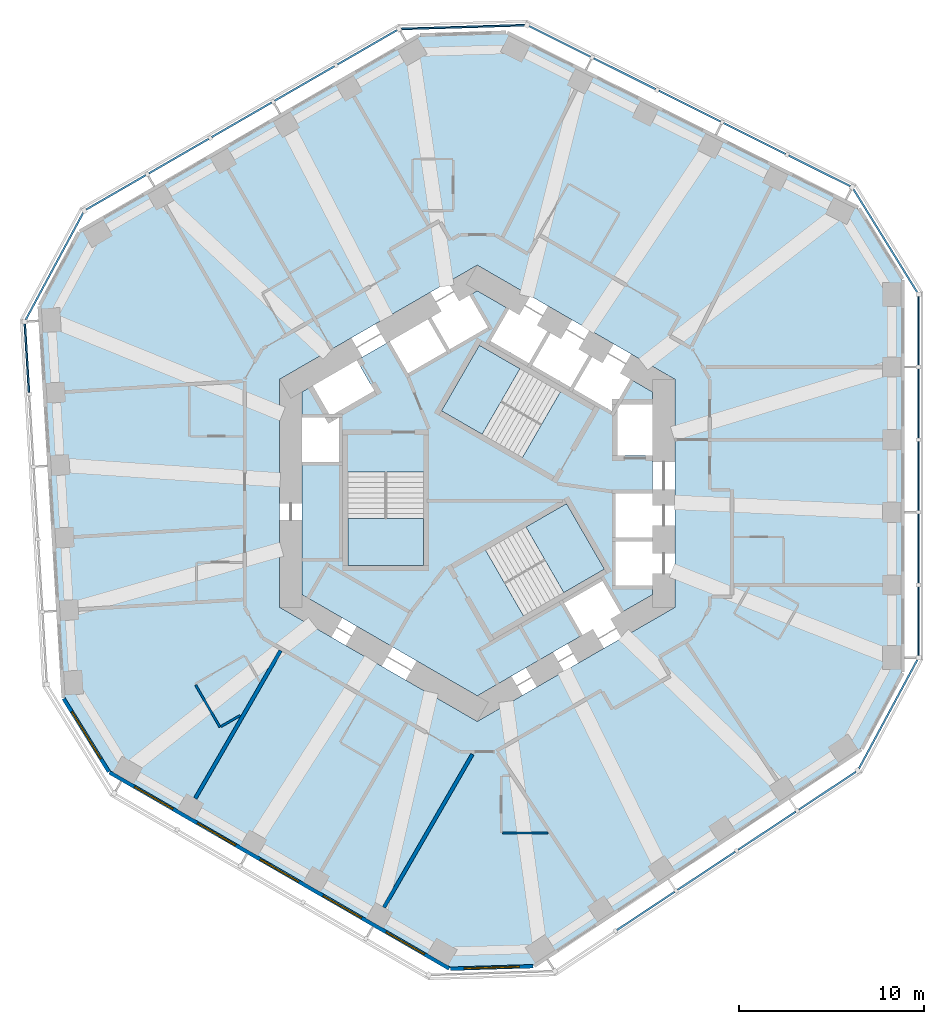
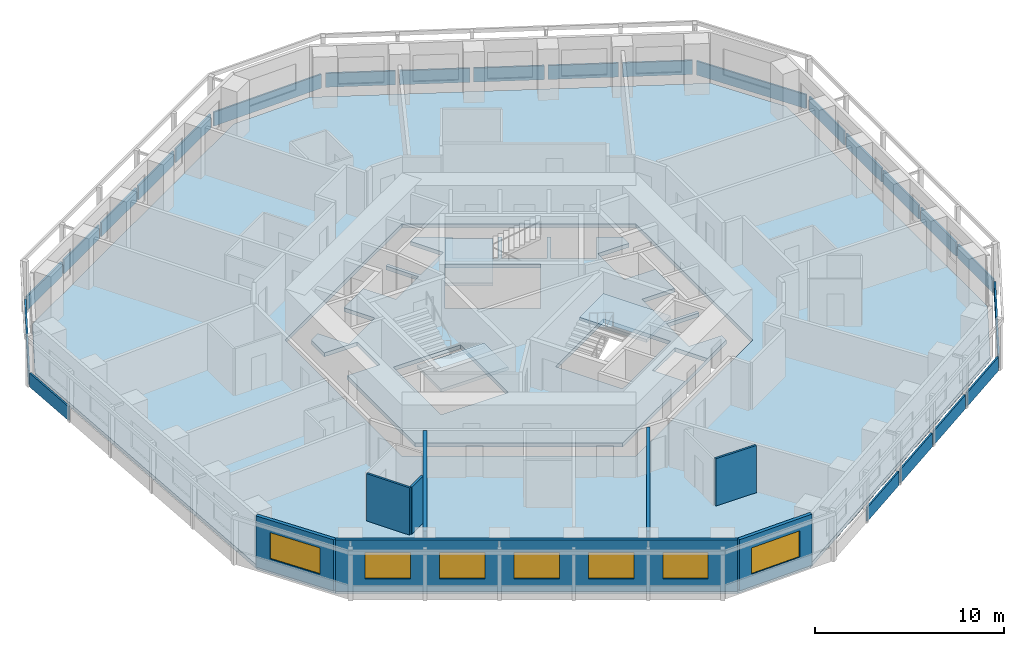
# One storey, part 3 of 11: 24 plates, 8 walls, 7 windows, 5 slabs, 7 openings, 12 elements without a shape of their own.
"""IFC4 building model written with IfcOpenShell, lengths in metres."""

import ifcopenshell
import ifcopenshell.guid

model = None  # the IFC model being written
_history = None  # IfcOwnerHistory: only IFC2X3 demands one
_inside = {}  # id of a spatial element -> (the spatial element, [elements in it])
_under = {}  # id of a project, library or spatial element -> (it, [spatial elements below it])
_declared = {}  # id of a project -> (the project, [libraries it declares])
_typed = {}  # id of a type object -> (the type object, [elements of that type])
_made_of = {}  # id of a material, layer set ... -> (it, [elements and type objects made of it])


def new_model(schema):
    """Start an empty IFC model of exactly this schema.

    Asked for "IFC4X3", IfcOpenShell would pick the latest addendum, in which some entities
    have other attributes; the version numbers below select the first issue.
    IFC2X3 requires an IfcOwnerHistory on every rooted entity: one is made here for all.
    """
    global model, _history
    if schema == "IFC4X3":
        model = ifcopenshell.file(schema_version=(4, 3, 0, 0))
    else:
        model = ifcopenshell.file(schema=schema)
    _inside.clear()
    _under.clear()
    _declared.clear()
    _typed.clear()
    _made_of.clear()
    _history = None
    if model.schema == "IFC2X3":
        org = make("IfcOrganization", Name="unknown")
        user = make(
            "IfcPersonAndOrganization",
            ThePerson=make("IfcPerson", FamilyName="unknown"),
            TheOrganization=org,
        )
        app = make(
            "IfcApplication",
            ApplicationDeveloper=org,
            Version="unknown",
            ApplicationFullName="unknown",
            ApplicationIdentifier="unknown",
        )
        _history = make(
            "IfcOwnerHistory",
            OwningUser=user,
            OwningApplication=app,
            ChangeAction="ADDED",
            CreationDate=0,
        )
    return model


def make(cls, **values):
    """One entity of the class cls with the attributes given. An attribute that is None is left unset."""
    return model.create_entity(
        cls, **{name: value for name, value in values.items() if value is not None}
    )


def rooted(cls, **values):
    """An entity with a GlobalId (a new one), such as an element, a storey or a relation."""
    return make(cls, GlobalId=ifcopenshell.guid.new(), OwnerHistory=_history, **values)


def si_unit(unit_type, name, prefix=None):
    """IfcSIUnit, for example si_unit("LENGTHUNIT", "METRE", prefix="MILLI")."""
    return make("IfcSIUnit", UnitType=unit_type, Prefix=prefix, Name=name)


def assignment(units):
    """IfcUnitAssignment: the units of a project."""
    return None if units is None else make("IfcUnitAssignment", Units=units)


def point(xyz):
    """IfcCartesianPoint."""
    return None if xyz is None else make("IfcCartesianPoint", Coordinates=xyz)


def direction(xyz):
    """IfcDirection."""
    return None if xyz is None else make("IfcDirection", DirectionRatios=xyz)


def frame(location, z_axis=None, x_axis=None):
    """IfcAxis2Placement3D, a coordinate frame: its origin and axes. An axis left out is left unset."""
    return make(
        "IfcAxis2Placement3D",
        Location=point(location),
        Axis=direction(z_axis),
        RefDirection=direction(x_axis),
    )


def frame_2d(location, x_axis=None):
    """IfcAxis2Placement2D, a coordinate frame in the plane: its origin and x axis."""
    return make(
        "IfcAxis2Placement2D", Location=point(location), RefDirection=direction(x_axis)
    )


def origin():
    """The frame at (0, 0, 0) with its axes left unset."""
    return frame((0.0, 0.0, 0.0))


def origin_2d():
    """The frame at (0, 0) in the plane with its x axis left unset."""
    return frame_2d((0.0, 0.0))


def place(relative_to, where):
    """IfcLocalPlacement: puts the frame where relative to a parent placement (None: the world)."""
    return make(
        "IfcLocalPlacement", PlacementRelTo=relative_to, RelativePlacement=where
    )


def context(
    kind, dimensions, precision=None, world=None, true_north=None, identifier=None
):
    """IfcGeometricRepresentationContext, for example the 3D "Model" context."""
    return make(
        "IfcGeometricRepresentationContext",
        ContextIdentifier=identifier,
        ContextType=kind,
        CoordinateSpaceDimension=dimensions,
        Precision=precision,
        WorldCoordinateSystem=world,
        TrueNorth=true_north,
    )


def subcontext(parent, identifier, kind, view, scale=None):
    """IfcGeometricRepresentationSubContext, for example "Body" below "Model"."""
    return make(
        "IfcGeometricRepresentationSubContext",
        ContextIdentifier=identifier,
        ContextType=kind,
        ParentContext=parent,
        TargetScale=scale,
        TargetView=view,
    )


def project(units=None, contexts=None):
    """IfcProject with its units and contexts."""
    return rooted(
        "IfcProject",
        Name="project",
        RepresentationContexts=contexts,
        UnitsInContext=assignment(units),
    )


def spatial(cls, under=None, at=None, **own):
    """A site, building, storey or space (cls), placed at a placement, below another one or the project."""
    s = rooted(cls, ObjectPlacement=at, **own)
    if under is not None:
        _under.setdefault(under.id(), (under, []))[1].append(s)
    return s


def polyline(points):
    """IfcPolyline through the points."""
    return make("IfcPolyline", Points=[point(p) for p in points])


def profile(cls, at=None, kind="AREA", **sizes):
    """A parametric profile (cls). Its sizes go by their IFC names, for example OverallWidth=200.0."""
    return make(cls, ProfileType=kind, Position=at, **sizes)


def rectangle(**sizes):
    """IfcRectangleProfileDef."""
    return profile("IfcRectangleProfileDef", **sizes)


def outline(outer, holes=None, kind="AREA"):
    """IfcArbitraryClosedProfileDef: a profile drawn as a closed curve; with holes, ...WithVoids."""
    if holes is None:
        return make("IfcArbitraryClosedProfileDef", ProfileType=kind, OuterCurve=outer)
    return make(
        "IfcArbitraryProfileDefWithVoids",
        ProfileType=kind,
        OuterCurve=outer,
        InnerCurves=holes,
    )


def extrude(swept, where, along, depth):
    """IfcExtrudedAreaSolid: the profile swept, set in the frame where, extruded along a direction by depth."""
    return make(
        "IfcExtrudedAreaSolid",
        SweptArea=swept,
        Position=where,
        ExtrudedDirection=direction(along),
        Depth=depth,
    )


def shape(context_of_items, identifier, shape_type, items):
    """IfcShapeRepresentation: the items that make up one representation, for example the "Body"."""
    return make(
        "IfcShapeRepresentation",
        ContextOfItems=context_of_items,
        RepresentationIdentifier=identifier,
        RepresentationType=shape_type,
        Items=items,
    )


def material(Name=None, Category=None):
    """IfcMaterial."""
    return make("IfcMaterial", Name=Name, Category=Category)


def layer(
    of_material, thickness, ventilated=None, Name=None, Category=None, Priority=None
):
    """IfcMaterialLayer: one layer of a wall or slab, of a material (None: an air gap)."""
    return make(
        "IfcMaterialLayer",
        Material=of_material,
        LayerThickness=thickness,
        IsVentilated=ventilated,
        Name=Name,
        Category=Category,
        Priority=Priority,
    )


def layer_set(layers, Name=None):
    """IfcMaterialLayerSet."""
    return make("IfcMaterialLayerSet", MaterialLayers=layers, LayerSetName=Name)


def made_of(thing, what):
    """Note that an element or type object is made of a material, layer set ...; save() writes the relation."""
    if what is not None:
        _made_of.setdefault(what.id(), (what, []))[1].append(thing)
    return thing


def type_object(cls, material=None, **own):
    """A type object (cls), such as IfcWallType, which elements share."""
    return made_of(rooted(cls, **own), material)


def element(
    cls,
    number,
    at=None,
    inside=None,
    cuts=None,
    type_object=None,
    material=None,
    context=None,
    identifier="Body",
    shape_type=None,
    held_by="IfcProductDefinitionShape",
    body=None,
    shapes=None,
    **own,
):
    """One element of the class cls, such as IfcWall. Its Tag is "e" and its number.

    at: its placement. inside: the storey or other place that contains it. cuts: it is an
    opening in that element (IfcRelVoidsElement). A single representation is given by context,
    identifier, shape_type and body (its items); several are given by shapes. held_by: the class
    of the entity that holds the representations. save() writes the other relations.
    """
    e = rooted(cls, Tag="e%d" % number, ObjectPlacement=at, **own)
    if body is not None:
        shapes = [shape(context, identifier, shape_type, body)]
    if shapes is not None:
        e.Representation = make(held_by, Representations=shapes)
    if inside is not None:
        _inside.setdefault(inside.id(), (inside, []))[1].append(e)
    if cuts is not None:
        rooted(
            "IfcRelVoidsElement", RelatingBuildingElement=cuts, RelatedOpeningElement=e
        )
    if type_object is not None:
        _typed.setdefault(type_object.id(), (type_object, []))[1].append(e)
    return made_of(e, material)


def fill(opening, filler):
    """IfcRelFillsElement: the door or window that sits in an opening."""
    return rooted(
        "IfcRelFillsElement",
        RelatingOpeningElement=opening,
        RelatedBuildingElement=filler,
    )


def aggregate(whole, parts):
    """IfcRelAggregates: a whole, such as a stair, and the parts it consists of."""
    return rooted("IfcRelAggregates", RelatingObject=whole, RelatedObjects=parts)


def save(model, path):
    """Write the relations noted so far, then the file.

    IfcRelAggregates (storeys below a building ...), IfcRelContainedInSpatialStructure (elements
    in a storey), IfcRelDefinesByType, IfcRelAssociatesMaterial and IfcRelDeclares: one each for
    every whole, place, type object, material and project.
    """
    for whole, parts in _under.values():
        aggregate(whole, parts)
    for where, things in _inside.values():
        rooted(
            "IfcRelContainedInSpatialStructure",
            RelatedElements=things,
            RelatingStructure=where,
        )
    for kind, things in _typed.values():
        rooted("IfcRelDefinesByType", RelatedObjects=things, RelatingType=kind)
    for what, things in _made_of.values():
        rooted("IfcRelAssociatesMaterial", RelatedObjects=things, RelatingMaterial=what)
    for by, libraries in _declared.values():
        rooted("IfcRelDeclares", RelatingContext=by, RelatedDefinitions=libraries)
    model.write(path)


model = new_model("IFC4")

# Units and contexts
model_context = context("Model", 3, precision=1e-05, world=origin(), true_north=direction((0.0, 1.0)))
body_context = subcontext(model_context, "Body", "Model", "MODEL_VIEW")
ifc_project = project(units=[si_unit("LENGTHUNIT", "METRE"), si_unit("AREAUNIT", "SQUARE_METRE"), si_unit("VOLUMEUNIT", "CUBIC_METRE"), si_unit("PLANEANGLEUNIT", "RADIAN"), si_unit("MASSUNIT", "GRAM", prefix="KILO")], contexts=[model_context])

# Site, building, storey
site_placement = place(None, origin())
site = spatial("IfcSite", under=ifc_project, at=site_placement, CompositionType="ELEMENT")
building_placement = place(site_placement, origin())
building = spatial("IfcBuilding", under=site, at=building_placement, Name="Vanh Sen Convention Tower", CompositionType="ELEMENT")
storey_placement = place(building_placement, frame((0.0, 0.0, 100.10009765625)))
storey = spatial("IfcBuildingStorey", under=building, at=storey_placement, Name="L23", CompositionType="ELEMENT", Elevation=100.10009765625)

# Slabs
ifc_material_1 = material(Name="Concrete C40/50", Category="concrete")
ifc_layer_1 = layer(ifc_material_1, 0.25)
ifc_layer_set_1 = layer_set([ifc_layer_1], Name="Concrete C40/50")
slab_type_1 = type_object("IfcSlabType", Name="Core slab 250", PredefinedType="FLOOR", material=ifc_layer_set_1)
slab_1_placement = place(storey_placement, frame((0.0, 0.0, -0.25)))
element("IfcSlab", 1, at=slab_1_placement, inside=storey, type_object=slab_type_1, Name="Core slab L23", PredefinedType="FLOOR", context=body_context, shape_type="SweptSolid", body=[
    extrude(outline(polyline([(9.5, 5.48486328125), (9.5, 4.800048828125), (7.60009765625, 4.800048828125), (7.60009765625, 2.050048828125), (9.5, 2.050048828125), (9.5, 0.0), (7.5, 0.0), (7.5, -2.39990234375), (9.5, -2.39990234375), (9.5, -2.60009765625), (7.5, -2.60009765625), (7.5, -5.0), (9.5, -5.0), (9.5, -5.48486328125), (0.0, -10.9697265625), (-9.5, -5.48486328125), (-9.5, 1.699951171875), (-7.5, 1.699951171875), (-7.5, 4.10009765625), (-9.5, 4.10009765625), (-9.5, 5.48486328125), (-8.906982421875, 5.8271484375), (-7.956787109375, 4.181884765625), (-5.575439453125, 5.556884765625), (-6.525390625, 7.2021484375), (-4.75, 8.227294921875), (-3.75, 6.4951171875), (-1.67138671875, 7.6953125), (-2.67138671875, 9.42724609375), (-2.498291015625, 9.527099609375), (-1.498291015625, 7.795166015625), (0.580078125, 8.9951171875), (-0.419921875, 10.727294921875), (0.0, 10.9697265625), (1.718994140625, 9.977294921875), (0.718994140625, 8.2451171875), (2.79736328125, 7.045166015625), (3.79736328125, 8.777099609375), (3.970703125, 8.67724609375), (2.970703125, 6.9453125), (5.049072265625, 5.7451171875), (6.049072265625, 7.477294921875), (6.22216796875, 7.377197265625), (5.22216796875, 5.645263671875), (7.30078125, 4.4453125), (8.30078125, 6.17724609375), (9.5, 5.48486328125)]), holes=[polyline([(-7.0, 3.14990234375), (-7.0, -3.909912109375), (-2.89990234375, -3.909912109375), (-2.89990234375, 3.14990234375), (-2.89990234375, 1.1494140625), (-7.0, 1.1494140625), (-7.0, 3.14990234375)]), polyline([(4.495361328125, 5.487548828125), (6.22802734375, 4.4873046875), (0.11376953125, 8.01708984375), (-1.936279296875, 4.466552734375), (2.4453125, 1.936767578125), (4.495361328125, 5.487548828125)]), polyline([(7.781005859375, -6.477294921875), (6.781005859375, -4.7451171875), (4.70263671875, -5.9453125), (5.70263671875, -7.67724609375), (7.781005859375, -6.477294921875)]), polyline([(0.45458984375, -3.086181640625), (2.504638671875, -6.63671875), (6.88623046875, -4.107177734375), (4.836181640625, -0.556396484375), (-1.278076171875, -4.08642578125), (0.45458984375, -3.086181640625)])]), origin(), (0.0, 0.0, 1.0), 0.25),
])
ifc_layer_2 = layer(ifc_material_1, 0.25)
ifc_layer_set_2 = layer_set([ifc_layer_2], Name="Concrete C40/50")
slab_type_2 = type_object("IfcSlabType", Name="Floor slab 250 REI 120", PredefinedType="FLOOR", material=ifc_layer_set_2)
slab_2_placement = place(storey_placement, frame((0.0, 0.0, -0.25)))
element("IfcSlab", 2, at=slab_2_placement, inside=storey, type_object=slab_type_2, Name="Floor slab L23 tower", PredefinedType="FLOOR", context=body_context, shape_type="SweptSolid", body=[
    extrude(outline(polyline([(23.0, -9.69921875), (23.0, 11.57373046875), (20.620361328125, 15.419189453125), (1.58251953125, 24.911376953125), (-3.10009765625, 24.768310546875), (-21.523193359375, 14.131591796875), (-23.663818359375, 10.14794921875), (-22.364990234375, -11.085205078125), (-19.89990234375, -15.069091796875), (-1.476806640625, -25.705322265625), (3.04345703125, -25.5673828125), (20.78271484375, -13.825927734375), (23.0, -9.69921875)]), holes=[polyline([(0.0, 12.355224609375), (-10.699951171875, 6.177490234375), (-10.699951171875, -6.177490234375), (0.0, -12.355224609375), (10.699951171875, -6.177490234375), (10.699951171875, 6.177490234375), (0.0, 12.355224609375)])]), origin(), (0.0, 0.0, 1.0), 0.25),
])

# Curtain wall, plates
ifc_material_2 = material(Name="Concrete C50/60", Category="concrete")
curtain_wall_type = type_object("IfcCurtainWallType", Name="Outer skin hotel zone", PredefinedType="NOTDEFINED", material=ifc_material_2)
curtain_wall_1_placement = place(storey_placement, origin())
curtain_wall_1 = element("IfcCurtainWall", 3, at=curtain_wall_1_placement, inside=storey, type_object=curtain_wall_type, Name="OUTER SKIN E L23", PredefinedType="NOTDEFINED")
ifc_layer_3 = layer(ifc_material_2, 0.10009765625)
ifc_layer_set_3 = layer_set([ifc_layer_3], Name="Concrete C50/60")
plate_type = type_object("IfcPlateType", Name="Outer skin precast screen panel 100", PredefinedType="CURTAIN_PANEL", material=ifc_layer_set_3)
plate_1_placement = place(storey_placement, frame((23.89990234375, -6.91943359375, 0.0), z_axis=(0.0, 0.0, 1.0), x_axis=(0.0, 1.0, 0.0)))
plate_1 = element("IfcPlate", 4, at=plate_1_placement, type_object=plate_type, Name="OUTER SKIN screen panel E-1", PredefinedType="CURTAIN_PANEL", context=body_context, shape_type="SweptSolid", body=[
    extrude(rectangle(XDim=3.709716796875, YDim=0.10009765625, at=origin_2d()), origin(), (0.0, 0.0, 1.0), 0.89990234375),
])
plate_2_placement = place(storey_placement, frame((23.89990234375, -2.997314453125, 0.0), z_axis=(0.0, 0.0, 1.0), x_axis=(0.0, 1.0, 0.0)))
plate_2 = element("IfcPlate", 5, at=plate_2_placement, type_object=plate_type, Name="OUTER SKIN screen panel E-2", PredefinedType="CURTAIN_PANEL", context=body_context, shape_type="SweptSolid", body=[
    extrude(rectangle(XDim=3.734619140625, YDim=0.10009765625, at=origin_2d()), origin(), (0.0, 0.0, 1.0), 0.89990234375),
])
plate_3_placement = place(storey_placement, frame((23.89990234375, 0.937255859375, 0.0), z_axis=(0.0, 0.0, 1.0), x_axis=(0.0, 1.0, 0.0)))
plate_3 = element("IfcPlate", 6, at=plate_3_placement, type_object=plate_type, Name="OUTER SKIN screen panel E-3", PredefinedType="CURTAIN_PANEL", context=body_context, shape_type="SweptSolid", body=[
    extrude(rectangle(XDim=3.734619140625, YDim=0.10009765625, at=origin_2d()), origin(), (0.0, 0.0, 1.0), 0.89990234375),
])
plate_4_placement = place(storey_placement, frame((23.89990234375, 4.871826171875, 0.0), z_axis=(0.0, 0.0, 1.0), x_axis=(0.0, 1.0, 0.0)))
plate_4 = element("IfcPlate", 7, at=plate_4_placement, type_object=plate_type, Name="OUTER SKIN screen panel E-4", PredefinedType="CURTAIN_PANEL", context=body_context, shape_type="SweptSolid", body=[
    extrude(rectangle(XDim=3.734619140625, YDim=0.10009765625, at=origin_2d()), origin(), (0.0, 0.0, 1.0), 0.89990234375),
])
plate_5_placement = place(storey_placement, frame((23.89990234375, 8.7939453125, 0.0), z_axis=(0.0, 0.0, 1.0), x_axis=(0.0, 1.0, 0.0)))
plate_5 = element("IfcPlate", 8, at=plate_5_placement, type_object=plate_type, Name="OUTER SKIN screen panel E-5", PredefinedType="CURTAIN_PANEL", context=body_context, shape_type="SweptSolid", body=[
    extrude(rectangle(XDim=3.709716796875, YDim=0.10009765625, at=origin_2d()), origin(), (0.0, 0.0, 1.0), 0.89990234375),
])
aggregate(curtain_wall_1, [plate_1, plate_2, plate_3, plate_4, plate_5])

# Curtain wall, plate
curtain_wall_2_placement = place(storey_placement, origin())
curtain_wall_2 = element("IfcCurtainWall", 9, at=curtain_wall_2_placement, inside=storey, type_object=curtain_wall_type, Name="OUTER SKIN CH1 L23", PredefinedType="NOTDEFINED")
plate_6_placement = place(storey_placement, frame((22.102783203125, 13.677734375, 0.0), z_axis=(0.0, 0.0, 1.0), x_axis=(-0.526212439506, 0.850353143411, 0.0)))
plate_6 = element("IfcPlate", 10, at=plate_6_placement, type_object=plate_type, Name="OUTER SKIN screen panel CH1-1", PredefinedType="CURTAIN_PANEL", context=body_context, shape_type="SweptSolid", body=[
    extrude(rectangle(XDim=6.580078125, YDim=0.10009765625, at=origin_2d()), origin(), (0.0, 0.0, 1.0), 0.89990234375),
])
aggregate(curtain_wall_2, [plate_6])

# Curtain wall, plates
curtain_wall_3_placement = place(storey_placement, origin())
curtain_wall_3 = element("IfcCurtainWall", 11, at=curtain_wall_3_placement, inside=storey, type_object=curtain_wall_type, Name="OUTER SKIN NE L23", PredefinedType="NOTDEFINED")
plate_7_placement = place(storey_placement, frame((18.5341796875, 17.465087890625, 0.0), z_axis=(0.0, 0.0, 1.0), x_axis=(-0.894935140363, 0.446196251154, 0.0)))
plate_7 = element("IfcPlate", 12, at=plate_7_placement, type_object=plate_type, Name="OUTER SKIN screen panel NE-1", PredefinedType="CURTAIN_PANEL", context=body_context, shape_type="SweptSolid", body=[
    extrude(rectangle(XDim=3.709716796875, YDim=0.10009765625, at=origin_2d()), origin(), (0.0, 0.0, 1.0), 0.89990234375),
])
plate_8_placement = place(storey_placement, frame((15.024169921875, 19.215087890625, 0.0), z_axis=(0.0, 0.0, 1.0), x_axis=(-0.894935140363, 0.446196251154, 0.0)))
plate_8 = element("IfcPlate", 13, at=plate_8_placement, type_object=plate_type, Name="OUTER SKIN screen panel NE-2", PredefinedType="CURTAIN_PANEL", context=body_context, shape_type="SweptSolid", body=[
    extrude(rectangle(XDim=3.734619140625, YDim=0.10009765625, at=origin_2d()), origin(), (0.0, 0.0, 1.0), 0.89990234375),
])
plate_9_placement = place(storey_placement, frame((11.5029296875, 20.970703125, 0.0), z_axis=(0.0, 0.0, 1.0), x_axis=(-0.894935140363, 0.446196251154, 0.0)))
plate_9 = element("IfcPlate", 14, at=plate_9_placement, type_object=plate_type, Name="OUTER SKIN screen panel NE-3", PredefinedType="CURTAIN_PANEL", context=body_context, shape_type="SweptSolid", body=[
    extrude(rectangle(XDim=3.734619140625, YDim=0.10009765625, at=origin_2d()), origin(), (0.0, 0.0, 1.0), 0.89990234375),
])
plate_10_placement = place(storey_placement, frame((7.981689453125, 22.726318359375, 0.0), z_axis=(0.0, 0.0, 1.0), x_axis=(-0.894935140363, 0.446196251154, 0.0)))
plate_10 = element("IfcPlate", 15, at=plate_10_placement, type_object=plate_type, Name="OUTER SKIN screen panel NE-4", PredefinedType="CURTAIN_PANEL", context=body_context, shape_type="SweptSolid", body=[
    extrude(rectangle(XDim=3.734619140625, YDim=0.10009765625, at=origin_2d()), origin(), (0.0, 0.0, 1.0), 0.89990234375),
])
plate_11_placement = place(storey_placement, frame((4.4716796875, 24.476318359375, 0.0), z_axis=(0.0, 0.0, 1.0), x_axis=(-0.894935140363, 0.446196251154, 0.0)))
plate_11 = element("IfcPlate", 16, at=plate_11_placement, type_object=plate_type, Name="OUTER SKIN screen panel NE-5", PredefinedType="CURTAIN_PANEL", context=body_context, shape_type="SweptSolid", body=[
    extrude(rectangle(XDim=3.709716796875, YDim=0.10009765625, at=origin_2d()), origin(), (0.0, 0.0, 1.0), 0.89990234375),
])
aggregate(curtain_wall_3, [plate_7, plate_8, plate_9, plate_10, plate_11])

# Curtain wall, plate
curtain_wall_4_placement = place(storey_placement, origin())
curtain_wall_4 = element("IfcCurtainWall", 17, at=curtain_wall_4_placement, inside=storey, type_object=curtain_wall_type, Name="OUTER SKIN CH2 L23", PredefinedType="NOTDEFINED")
plate_12_placement = place(storey_placement, frame((-0.771484375, 25.253662109375, 0.0), z_axis=(0.0, 0.0, 1.0), x_axis=(-0.999533644135, -0.030536768695, 0.0)))
plate_12 = element("IfcPlate", 18, at=plate_12_placement, type_object=plate_type, Name="OUTER SKIN screen panel CH2-1", PredefinedType="CURTAIN_PANEL", context=body_context, shape_type="SweptSolid", body=[
    extrude(rectangle(XDim=6.696044921875, YDim=0.10009765625, at=origin_2d()), origin(), (0.0, 0.0, 1.0), 0.89990234375),
])
aggregate(curtain_wall_4, [plate_12])

# Curtain wall, plates
curtain_wall_5_placement = place(storey_placement, origin())
curtain_wall_5 = element("IfcCurtainWall", 19, at=curtain_wall_5_placement, inside=storey, type_object=curtain_wall_type, Name="OUTER SKIN NW L23", PredefinedType="NOTDEFINED")
plate_13_placement = place(storey_placement, frame((-5.95751953125, 24.15771484375, 0.0), z_axis=(0.0, 0.0, 1.0), x_axis=(-0.866028021766, -0.499995465495, 0.0)))
plate_13 = element("IfcPlate", 20, at=plate_13_placement, type_object=plate_type, Name="OUTER SKIN screen panel NW-1", PredefinedType="CURTAIN_PANEL", context=body_context, shape_type="SweptSolid", body=[
    extrude(rectangle(XDim=3.709716796875, YDim=0.10009765625, at=origin_2d()), origin(), (0.0, 0.0, 1.0), 0.89990234375),
])
plate_14_placement = place(storey_placement, frame((-9.354248046875, 22.19677734375, 0.0), z_axis=(0.0, 0.0, 1.0), x_axis=(-0.866021040428, -0.500007557478, 0.0)))
plate_14 = element("IfcPlate", 21, at=plate_14_placement, type_object=plate_type, Name="OUTER SKIN screen panel NW-2", PredefinedType="CURTAIN_PANEL", context=body_context, shape_type="SweptSolid", body=[
    extrude(rectangle(XDim=3.734619140625, YDim=0.10009765625, at=origin_2d()), origin(), (0.0, 0.0, 1.0), 0.89990234375),
])
plate_15_placement = place(storey_placement, frame((-12.76171875, 20.2294921875, 0.0), z_axis=(0.0, 0.0, 1.0), x_axis=(-0.866028021766, -0.499995465495, 0.0)))
plate_15 = element("IfcPlate", 22, at=plate_15_placement, type_object=plate_type, Name="OUTER SKIN screen panel NW-3", PredefinedType="CURTAIN_PANEL", context=body_context, shape_type="SweptSolid", body=[
    extrude(rectangle(XDim=3.734619140625, YDim=0.10009765625, at=origin_2d()), origin(), (0.0, 0.0, 1.0), 0.89990234375),
])
plate_16_placement = place(storey_placement, frame((-16.169189453125, 18.26220703125, 0.0), z_axis=(0.0, 0.0, 1.0), x_axis=(-0.866028021766, -0.499995465495, 0.0)))
plate_16 = element("IfcPlate", 23, at=plate_16_placement, type_object=plate_type, Name="OUTER SKIN screen panel NW-4", PredefinedType="CURTAIN_PANEL", context=body_context, shape_type="SweptSolid", body=[
    extrude(rectangle(XDim=3.734619140625, YDim=0.10009765625, at=origin_2d()), origin(), (0.0, 0.0, 1.0), 0.89990234375),
])
plate_17_placement = place(storey_placement, frame((-19.56591796875, 16.301025390625, 0.0), z_axis=(0.0, 0.0, 1.0), x_axis=(-0.866021040428, -0.500007557478, 0.0)))
plate_17 = element("IfcPlate", 24, at=plate_17_placement, type_object=plate_type, Name="OUTER SKIN screen panel NW-5", PredefinedType="CURTAIN_PANEL", context=body_context, shape_type="SweptSolid", body=[
    extrude(rectangle(XDim=3.70947265625, YDim=0.10009765625, at=origin_2d()), origin(), (0.0, 0.0, 1.0), 0.89990234375),
])
aggregate(curtain_wall_5, [plate_13, plate_14, plate_15, plate_16, plate_17])

# Curtain wall, plate
curtain_wall_6_placement = place(storey_placement, origin())
curtain_wall_6 = element("IfcCurtainWall", 25, at=curtain_wall_6_placement, inside=storey, type_object=curtain_wall_type, Name="OUTER SKIN CH3 L23", PredefinedType="NOTDEFINED")
plate_18_placement = place(storey_placement, frame((-22.896728515625, 12.302978515625, 0.0), z_axis=(0.0, 0.0, 1.0), x_axis=(-0.47331812974, -0.880891564303, 0.0)))
plate_18 = element("IfcPlate", 26, at=plate_18_placement, type_object=plate_type, Name="OUTER SKIN screen panel CH3-1", PredefinedType="CURTAIN_PANEL", context=body_context, shape_type="SweptSolid", body=[
    extrude(rectangle(XDim=6.580078125, YDim=0.10009765625, at=origin_2d()), origin(), (0.0, 0.0, 1.0), 0.89990234375),
])
aggregate(curtain_wall_6, [plate_18])

curtain_wall_7_placement = place(storey_placement, origin())
curtain_wall_7 = element("IfcCurtainWall", 27, at=curtain_wall_7_placement, inside=storey, type_object=curtain_wall_type, Name="OUTER SKIN W L23", PredefinedType="NOTDEFINED")
plate_19_placement = place(storey_placement, frame((-24.39208984375, 7.318603515625, 0.0), z_axis=(0.0, 0.0, 1.0), x_axis=(0.061046797461, -0.99813490497, 0.0)))
plate_19 = element("IfcPlate", 28, at=plate_19_placement, type_object=plate_type, Name="OUTER SKIN screen panel W-1", PredefinedType="CURTAIN_PANEL", context=body_context, shape_type="SweptSolid", body=[
    extrude(rectangle(XDim=3.709716796875, YDim=0.10009765625, at=origin_2d()), origin(), (0.0, 0.0, 1.0), 0.89990234375),
])
aggregate(curtain_wall_7, [plate_19])

# Curtain wall, plates
curtain_wall_8_placement = place(storey_placement, origin())
curtain_wall_8 = element("IfcCurtainWall", 29, at=curtain_wall_8_placement, inside=storey, type_object=curtain_wall_type, Name="OUTER SKIN SE L23", PredefinedType="NOTDEFINED")
plate_20_placement = place(storey_placement, frame((9.128662109375, -22.618896484375, 0.0), z_axis=(0.0, 0.0, 1.0), x_axis=(0.833891601892, 0.55192825285, 0.0)))
plate_20 = element("IfcPlate", 30, at=plate_20_placement, type_object=plate_type, Name="OUTER SKIN screen panel SE-2", PredefinedType="CURTAIN_PANEL", context=body_context, shape_type="SweptSolid", body=[
    extrude(rectangle(XDim=3.734619140625, YDim=0.10009765625, at=origin_2d()), origin(), (0.0, 0.0, 1.0), 0.89990234375),
])
plate_21_placement = place(storey_placement, frame((12.40966796875, -20.447265625, 0.0), z_axis=(0.0, 0.0, 1.0), x_axis=(0.833880042151, 0.551945717714, 0.0)))
plate_21 = element("IfcPlate", 31, at=plate_21_placement, type_object=plate_type, Name="OUTER SKIN screen panel SE-3", PredefinedType="CURTAIN_PANEL", context=body_context, shape_type="SweptSolid", body=[
    extrude(rectangle(XDim=3.734619140625, YDim=0.10009765625, at=origin_2d()), origin(), (0.0, 0.0, 1.0), 0.89990234375),
])
plate_22_placement = place(storey_placement, frame((15.690673828125, -18.275390625, 0.0), z_axis=(0.0, 0.0, 1.0), x_axis=(0.833891601892, 0.55192825285, 0.0)))
plate_22 = element("IfcPlate", 32, at=plate_22_placement, type_object=plate_type, Name="OUTER SKIN screen panel SE-4", PredefinedType="CURTAIN_PANEL", context=body_context, shape_type="SweptSolid", body=[
    extrude(rectangle(XDim=3.734619140625, YDim=0.10009765625, at=origin_2d()), origin(), (0.0, 0.0, 1.0), 0.89990234375),
])
plate_23_placement = place(storey_placement, frame((18.961181640625, -16.11083984375, 0.0), z_axis=(0.0, 0.0, 1.0), x_axis=(0.833880042151, 0.551945717714, 0.0)))
plate_23 = element("IfcPlate", 33, at=plate_23_placement, type_object=plate_type, Name="OUTER SKIN screen panel SE-5", PredefinedType="CURTAIN_PANEL", context=body_context, shape_type="SweptSolid", body=[
    extrude(rectangle(XDim=3.709716796875, YDim=0.10009765625, at=origin_2d()), origin(), (0.0, 0.0, 1.0), 0.89990234375),
])
aggregate(curtain_wall_8, [plate_20, plate_21, plate_22, plate_23])

# Curtain wall, plate
curtain_wall_9_placement = place(storey_placement, origin())
curtain_wall_9 = element("IfcCurtainWall", 34, at=curtain_wall_9_placement, inside=storey, type_object=curtain_wall_type, Name="OUTER SKIN CH6 L23", PredefinedType="NOTDEFINED")
plate_24_placement = place(storey_placement, frame((22.256103515625, -11.95849609375, 0.0), z_axis=(0.0, 0.0, 1.0), x_axis=(0.473322742071, 0.880889086003, 0.0)))
plate_24 = element("IfcPlate", 35, at=plate_24_placement, type_object=plate_type, Name="OUTER SKIN screen panel CH6-1", PredefinedType="CURTAIN_PANEL", context=body_context, shape_type="SweptSolid", body=[
    extrude(rectangle(XDim=6.6962890625, YDim=0.10009765625, at=origin_2d()), origin(), (0.0, 0.0, 1.0), 0.89990234375),
])
aggregate(curtain_wall_9, [plate_24])

# Stair, slab
ifc_material_3 = material(Name="Concrete C50/60", Category="concrete")
stair_type_1 = type_object("IfcStairType", Name="Exit stair ST1 20 risers at 165.0", PredefinedType="HALF_TURN_STAIR", material=ifc_material_3)
stair_1_placement = place(storey_placement, origin())
stair_1 = element("IfcStair", 36, at=stair_1_placement, inside=storey, type_object=stair_type_1, Name="Exit stair ST1 L23", PredefinedType="HALF_TURN_STAIR")
ifc_layer_4 = layer(ifc_material_1, 0.199951171875)
ifc_layer_set_4 = layer_set([ifc_layer_4], Name="Concrete C40/50")
slab_type_3 = type_object("IfcSlabType", Name="Stair landing 200", PredefinedType="LANDING", material=ifc_layer_set_4)
slab_3_placement = place(storey_placement, frame((0.0, 0.0, 1.449951171875)))
slab_3 = element("IfcSlab", 37, at=slab_3_placement, type_object=slab_type_3, Name="ST1 landing 1", PredefinedType="LANDING", context=body_context, shape_type="SweptSolid", body=[
    extrude(outline(polyline([(2.314208984375, 6.746826171875), (0.11376953125, 8.01708984375), (-1.936279296875, 4.466552734375), (0.26416015625, 3.196044921875), (2.314208984375, 6.746826171875)])), origin(), (0.0, 0.0, 1.0), 0.199951171875),
])
aggregate(stair_1, [slab_3])

stair_type_2 = type_object("IfcStairType", Name="Exit stair ST2 20 risers at 165.0", PredefinedType="HALF_TURN_STAIR", material=ifc_material_3)
stair_2_placement = place(storey_placement, origin())
stair_2 = element("IfcStair", 38, at=stair_2_placement, inside=storey, type_object=stair_type_2, Name="Exit stair ST2 L23", PredefinedType="HALF_TURN_STAIR")
slab_4_placement = place(storey_placement, frame((0.0, 0.0, 1.449951171875)))
slab_4 = element("IfcSlab", 39, at=slab_4_placement, type_object=slab_type_3, Name="ST2 landing 1", PredefinedType="LANDING", context=body_context, shape_type="SweptSolid", body=[
    extrude(outline(polyline([(-7.0, -1.369384765625), (-7.0, -3.909912109375), (-2.89990234375, -3.909912109375), (-2.89990234375, -1.369384765625), (-7.0, -1.369384765625)])), origin(), (0.0, 0.0, 1.0), 0.199951171875),
])
aggregate(stair_2, [slab_4])

stair_type_3 = type_object("IfcStairType", Name="Exit stair ST3 20 risers at 165.0", PredefinedType="HALF_TURN_STAIR", material=ifc_material_3)
stair_3_placement = place(storey_placement, origin())
stair_3 = element("IfcStair", 40, at=stair_3_placement, inside=storey, type_object=stair_type_3, Name="Exit stair ST3 L23", PredefinedType="HALF_TURN_STAIR")
slab_5_placement = place(storey_placement, frame((0.0, 0.0, 1.449951171875)))
slab_5 = element("IfcSlab", 41, at=slab_5_placement, type_object=slab_type_3, Name="ST3 landing 1", PredefinedType="LANDING", context=body_context, shape_type="SweptSolid", body=[
    extrude(outline(polyline([(4.685791015625, -5.37744140625), (6.88623046875, -4.107177734375), (4.836181640625, -0.556396484375), (2.6357421875, -1.826904296875), (4.685791015625, -5.37744140625)])), origin(), (0.0, 0.0, 1.0), 0.199951171875),
])
aggregate(stair_3, [slab_5])

# Walls
ifc_material_4 = material(Name="Moisture-resistant gypsum board on steel studs", Category="steel")
ifc_layer_5 = layer(ifc_material_4, 0.1201171875)
ifc_layer_set_5 = layer_set([ifc_layer_5], Name="Moisture-resistant gypsum board on steel studs")
wall_type_1 = type_object("IfcWallType", Name="Bathroom partition 120", PredefinedType="PARTITIONING", material=ifc_layer_set_5)
wall_1_placement = place(storey_placement, frame((-13.935546875, -12.66455078125, 0.0), z_axis=(0.0, 0.0, 1.0), x_axis=(-0.500007957085, 0.86602080971, 0.0)))
element("IfcWall", 42, at=wall_1_placement, inside=storey, type_object=wall_type_1, Name="Bathroom partition 120", PredefinedType="PARTITIONING", context=body_context, shape_type="SweptSolid", body=[
    extrude(rectangle(XDim=2.64013671875, YDim=0.1201171875, at=frame_2d((1.320068359375, 0.0))), origin(), (0.0, 0.0, 1.0), 3.0498046875),
])
wall_2_placement = place(storey_placement, frame((-12.841552734375, -12.03271484375, 0.0), z_axis=(0.0, 0.0, 1.0), x_axis=(-0.865949042838, -0.500132237721, 0.0)))
element("IfcWall", 43, at=wall_2_placement, inside=storey, type_object=wall_type_1, Name="Bathroom partition 120", PredefinedType="PARTITIONING", context=body_context, shape_type="SweptSolid", body=[
    extrude(rectangle(XDim=1.203369140625, YDim=0.1201171875, at=frame_2d((0.6015625, 0.0))), origin(), (0.0, 0.0, 1.0), 3.0498046875),
])
wall_3_placement = place(storey_placement, frame((3.82763671875, -18.400634765625, 0.0), z_axis=(0.0, 0.0, 1.0), x_axis=(-1.0, 0.0, 0.0)))
element("IfcWall", 44, at=wall_3_placement, inside=storey, type_object=wall_type_1, Name="Bathroom partition 120", PredefinedType="PARTITIONING", context=body_context, shape_type="SweptSolid", body=[
    extrude(rectangle(XDim=2.467529296875, YDim=0.1201171875, at=frame_2d((1.23388671875, 0.0))), origin(), (0.0, 0.0, 1.0), 3.0498046875),
])

# Wall, opening, window
ifc_material_5 = material(Name="Insulated lightweight infill wall")
ifc_layer_6 = layer(ifc_material_5, 0.199951171875)
ifc_layer_set_6 = layer_set([ifc_layer_6], Name="Insulated lightweight infill wall")
wall_type_2 = type_object("IfcWallType", Name="External wall 200", PredefinedType="STANDARD", material=ifc_layer_set_6)
wall_4_placement = place(storey_placement, frame((-22.40087890625, -11.122314453125, 0.0), z_axis=(0.0, 0.0, 1.0), x_axis=(0.526197679914, -0.850362276711, 0.0)))
wall_4 = element("IfcWall", 45, at=wall_4_placement, inside=storey, type_object=wall_type_2, Name="External wall CH4 L23", PredefinedType="STANDARD", context=body_context, shape_type="SweptSolid", body=[
    extrude(rectangle(XDim=4.65966796875, YDim=0.199951171875, at=frame_2d((2.329833984375, 0.0))), origin(), (0.0, 0.0, 1.0), 3.2998046875),
])
opening_1_placement = place(wall_4_placement, frame((0.829833984375, 0.0, 0.800048828125)))
opening_1 = element("IfcOpeningElement", 46, at=opening_1_placement, cuts=wall_4, Name="Opening WH2-CH41", PredefinedType="OPENING", context=body_context, shape_type="SweptSolid", body=[
    extrude(rectangle(XDim=3.0, YDim=1.699951171875, at=frame_2d((1.5, 0.85009765625))), frame((0.0, 0.10986328125, 0.0), z_axis=(0.0, -1.0, 0.0), x_axis=(1.0, 0.0, 0.0)), (0.0, 0.0, 1.0), 0.219970703125),
])
ifc_material_6 = material(Name="Aluminium frame with clear low-emissivity glass", Category="aluminium")
window_type_1 = type_object("IfcWindowType", Name="Hotel window 3000 x 1700", PartitioningType="SINGLE_PANEL", PredefinedType="WINDOW", material=ifc_material_6)
window_1_placement = place(opening_1_placement, origin())
window_1 = element("IfcWindow", 47, at=window_1_placement, inside=storey, type_object=window_type_1, Name="Window WH2-CH41", OverallHeight=1.699951171875, OverallWidth=3.0, PartitioningType="SINGLE_PANEL", PredefinedType="WINDOW", context=body_context, shape_type="SweptSolid", body=[
    extrude(rectangle(XDim=3.0, YDim=1.699951171875, at=frame_2d((1.5, 0.85009765625))), frame((0.0, 0.030029296875, 0.0), z_axis=(0.0, -1.0, 0.0), x_axis=(1.0, 0.0, 0.0)), (0.0, 0.0, 1.0), 0.06005859375),
])
fill(opening_1, window_1)

# Wall, openings, windows
wall_5_placement = place(storey_placement, frame((-19.913818359375, -15.11865234375, 0.0), z_axis=(0.0, 0.0, 1.0), x_axis=(0.866025418898, -0.499999973822, 0.0)))
wall_5 = element("IfcWall", 48, at=wall_5_placement, inside=storey, type_object=wall_type_2, Name="External wall SW L23", PredefinedType="STANDARD", context=body_context, shape_type="SweptSolid", body=[
    extrude(rectangle(XDim=21.24609375, YDim=0.199951171875, at=frame_2d((10.623046875, 0.0))), origin(), (0.0, 0.0, 1.0), 3.2998046875),
])
opening_2_placement = place(wall_5_placement, frame((1.5546875, 0.0, 0.800048828125)))
opening_2 = element("IfcOpeningElement", 49, at=opening_2_placement, cuts=wall_5, Name="Opening WH1-SW1", PredefinedType="OPENING", context=body_context, shape_type="SweptSolid", body=[
    extrude(rectangle(XDim=2.39990234375, YDim=1.699951171875, at=frame_2d((1.199951171875, 0.85009765625))), frame((0.0, 0.10986328125, 0.0), z_axis=(0.0, -1.0, 0.0), x_axis=(1.0, 0.0, 0.0)), (0.0, 0.0, 1.0), 0.219970703125),
])
opening_3_placement = place(wall_5_placement, frame((5.4892578125, 0.0, 0.800048828125)))
opening_3 = element("IfcOpeningElement", 50, at=opening_3_placement, cuts=wall_5, Name="Opening WH1-SW2", PredefinedType="OPENING", context=body_context, shape_type="SweptSolid", body=[
    extrude(rectangle(XDim=2.39990234375, YDim=1.699951171875, at=frame_2d((1.199951171875, 0.85009765625))), frame((0.0, 0.10986328125, 0.0), z_axis=(0.0, -1.0, 0.0), x_axis=(1.0, 0.0, 0.0)), (0.0, 0.0, 1.0), 0.219970703125),
])
opening_4_placement = place(wall_5_placement, frame((9.423828125, 0.0, 0.800048828125)))
opening_4 = element("IfcOpeningElement", 51, at=opening_4_placement, cuts=wall_5, Name="Opening WH1-SW3", PredefinedType="OPENING", context=body_context, shape_type="SweptSolid", body=[
    extrude(rectangle(XDim=2.39990234375, YDim=1.699951171875, at=frame_2d((1.199951171875, 0.85009765625))), frame((0.0, 0.10986328125, 0.0), z_axis=(0.0, -1.0, 0.0), x_axis=(1.0, 0.0, 0.0)), (0.0, 0.0, 1.0), 0.219970703125),
])
opening_5_placement = place(wall_5_placement, frame((13.3583984375, 0.0, 0.800048828125)))
opening_5 = element("IfcOpeningElement", 52, at=opening_5_placement, cuts=wall_5, Name="Opening WH1-SW4", PredefinedType="OPENING", context=body_context, shape_type="SweptSolid", body=[
    extrude(rectangle(XDim=2.39990234375, YDim=1.699951171875, at=frame_2d((1.199951171875, 0.85009765625))), frame((0.0, 0.10986328125, 0.0), z_axis=(0.0, -1.0, 0.0), x_axis=(1.0, 0.0, 0.0)), (0.0, 0.0, 1.0), 0.219970703125),
])
opening_6_placement = place(wall_5_placement, frame((17.293212890625, 0.0, 0.800048828125)))
opening_6 = element("IfcOpeningElement", 53, at=opening_6_placement, cuts=wall_5, Name="Opening WH1-SW5", PredefinedType="OPENING", context=body_context, shape_type="SweptSolid", body=[
    extrude(rectangle(XDim=2.39990234375, YDim=1.699951171875, at=frame_2d((1.199951171875, 0.85009765625))), frame((0.0, 0.10986328125, 0.0), z_axis=(0.0, -1.0, 0.0), x_axis=(1.0, 0.0, 0.0)), (0.0, 0.0, 1.0), 0.219970703125),
])
window_type_2 = type_object("IfcWindowType", Name="Hotel window 2400 x 1700", PartitioningType="SINGLE_PANEL", PredefinedType="WINDOW", material=ifc_material_6)
window_2_placement = place(opening_2_placement, origin())
window_2 = element("IfcWindow", 54, at=window_2_placement, inside=storey, type_object=window_type_2, Name="Window WH1-SW1", OverallHeight=1.699951171875, OverallWidth=2.39990234375, PartitioningType="SINGLE_PANEL", PredefinedType="WINDOW", context=body_context, shape_type="SweptSolid", body=[
    extrude(rectangle(XDim=2.39990234375, YDim=1.699951171875, at=frame_2d((1.199951171875, 0.85009765625))), frame((0.0, 0.030029296875, 0.0), z_axis=(0.0, -1.0, 0.0), x_axis=(1.0, 0.0, 0.0)), (0.0, 0.0, 1.0), 0.06005859375),
])
fill(opening_2, window_2)
window_3_placement = place(opening_3_placement, origin())
window_3 = element("IfcWindow", 55, at=window_3_placement, inside=storey, type_object=window_type_2, Name="Window WH1-SW2", OverallHeight=1.699951171875, OverallWidth=2.39990234375, PartitioningType="SINGLE_PANEL", PredefinedType="WINDOW", context=body_context, shape_type="SweptSolid", body=[
    extrude(rectangle(XDim=2.39990234375, YDim=1.699951171875, at=frame_2d((1.199951171875, 0.85009765625))), frame((0.0, 0.030029296875, 0.0), z_axis=(0.0, -1.0, 0.0), x_axis=(1.0, 0.0, 0.0)), (0.0, 0.0, 1.0), 0.06005859375),
])
fill(opening_3, window_3)
window_4_placement = place(opening_4_placement, origin())
window_4 = element("IfcWindow", 56, at=window_4_placement, inside=storey, type_object=window_type_2, Name="Window WH1-SW3", OverallHeight=1.699951171875, OverallWidth=2.39990234375, PartitioningType="SINGLE_PANEL", PredefinedType="WINDOW", context=body_context, shape_type="SweptSolid", body=[
    extrude(rectangle(XDim=2.39990234375, YDim=1.699951171875, at=frame_2d((1.199951171875, 0.85009765625))), frame((0.0, 0.030029296875, 0.0), z_axis=(0.0, -1.0, 0.0), x_axis=(1.0, 0.0, 0.0)), (0.0, 0.0, 1.0), 0.06005859375),
])
fill(opening_4, window_4)
window_5_placement = place(opening_5_placement, origin())
window_5 = element("IfcWindow", 57, at=window_5_placement, inside=storey, type_object=window_type_2, Name="Window WH1-SW4", OverallHeight=1.699951171875, OverallWidth=2.39990234375, PartitioningType="SINGLE_PANEL", PredefinedType="WINDOW", context=body_context, shape_type="SweptSolid", body=[
    extrude(rectangle(XDim=2.39990234375, YDim=1.699951171875, at=frame_2d((1.199951171875, 0.85009765625))), frame((0.0, 0.030029296875, 0.0), z_axis=(0.0, -1.0, 0.0), x_axis=(1.0, 0.0, 0.0)), (0.0, 0.0, 1.0), 0.06005859375),
])
fill(opening_5, window_5)
window_6_placement = place(opening_6_placement, origin())
window_6 = element("IfcWindow", 58, at=window_6_placement, inside=storey, type_object=window_type_2, Name="Window WH1-SW5", OverallHeight=1.699951171875, OverallWidth=2.39990234375, PartitioningType="SINGLE_PANEL", PredefinedType="WINDOW", context=body_context, shape_type="SweptSolid", body=[
    extrude(rectangle(XDim=2.39990234375, YDim=1.699951171875, at=frame_2d((1.199951171875, 0.85009765625))), frame((0.0, 0.030029296875, 0.0), z_axis=(0.0, -1.0, 0.0), x_axis=(1.0, 0.0, 0.0)), (0.0, 0.0, 1.0), 0.06005859375),
])
fill(opening_6, window_6)

# Wall, opening, window
wall_6_placement = place(storey_placement, frame((-1.461181640625, -25.7548828125, 0.0), z_axis=(0.0, 0.0, 1.0), x_axis=(0.999533823446, 0.030530898895, 0.0)))
wall_6 = element("IfcWall", 59, at=wall_6_placement, inside=storey, type_object=wall_type_2, Name="External wall CH5 L23", PredefinedType="STANDARD", context=body_context, shape_type="SweptSolid", body=[
    extrude(rectangle(XDim=4.494140625, YDim=0.199951171875, at=frame_2d((2.2470703125, 0.0))), origin(), (0.0, 0.0, 1.0), 3.2998046875),
])
opening_7_placement = place(wall_6_placement, frame((0.7470703125, 0.0, 0.800048828125)))
opening_7 = element("IfcOpeningElement", 60, at=opening_7_placement, cuts=wall_6, Name="Opening WH2-CH51", PredefinedType="OPENING", context=body_context, shape_type="SweptSolid", body=[
    extrude(rectangle(XDim=3.0, YDim=1.699951171875, at=frame_2d((1.5, 0.85009765625))), frame((0.0, 0.10986328125, 0.0), z_axis=(0.0, -1.0, 0.0), x_axis=(1.0, 0.0, 0.0)), (0.0, 0.0, 1.0), 0.219970703125),
])
window_7_placement = place(opening_7_placement, origin())
window_7 = element("IfcWindow", 61, at=window_7_placement, inside=storey, type_object=window_type_1, Name="Window WH2-CH51", OverallHeight=1.699951171875, OverallWidth=3.0, PartitioningType="SINGLE_PANEL", PredefinedType="WINDOW", context=body_context, shape_type="SweptSolid", body=[
    extrude(rectangle(XDim=3.0, YDim=1.699951171875, at=frame_2d((1.5, 0.85009765625))), frame((0.0, 0.030029296875, 0.0), z_axis=(0.0, -1.0, 0.0), x_axis=(1.0, 0.0, 0.0)), (0.0, 0.0, 1.0), 0.06005859375),
])
fill(opening_7, window_7)

# Walls
ifc_material_7 = material(Name="Gypsum board on steel studs with mineral wool", Category="steel")
ifc_layer_7 = layer(ifc_material_7, 0.199951171875)
ifc_layer_set_7 = layer_set([ifc_layer_7], Name="Gypsum board on steel studs with mineral wool")
wall_type_3 = type_object("IfcWallType", Name="Hotel party wall 200", PredefinedType="PARTITIONING", material=ifc_layer_set_7)
wall_7_placement = place(storey_placement, frame((-15.2744140625, -16.527099609375, 0.0), z_axis=(0.0, 0.0, 1.0), x_axis=(0.49998823431, 0.866032196602, 0.0)))
element("IfcWall", 62, at=wall_7_placement, inside=storey, type_object=wall_type_3, Name="Hotel party wall 200", PredefinedType="PARTITIONING", context=body_context, shape_type="SweptSolid", body=[
    extrude(rectangle(XDim=9.250244140625, YDim=0.199951171875, at=frame_2d((4.625, 0.0))), origin(), (0.0, 0.0, 1.0), 3.0498046875),
])
wall_8_placement = place(storey_placement, frame((-5.052001953125, -22.4287109375, 0.0), z_axis=(0.0, 0.0, 1.0), x_axis=(0.500004329283, 0.866022904257, 0.0)))
element("IfcWall", 63, at=wall_8_placement, inside=storey, type_object=wall_type_3, Name="Hotel party wall 200", PredefinedType="PARTITIONING", context=body_context, shape_type="SweptSolid", body=[
    extrude(rectangle(XDim=9.57177734375, YDim=0.199951171875, at=frame_2d((4.785888671875, 0.0))), origin(), (0.0, 0.0, 1.0), 3.0498046875),
])

save(model, "model.ifc")
